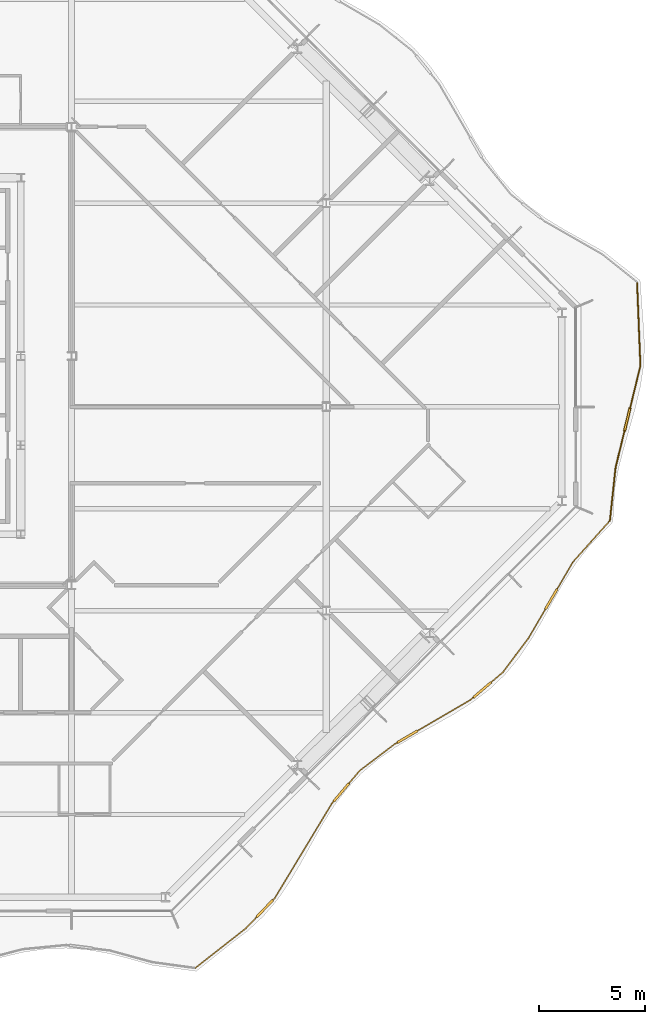
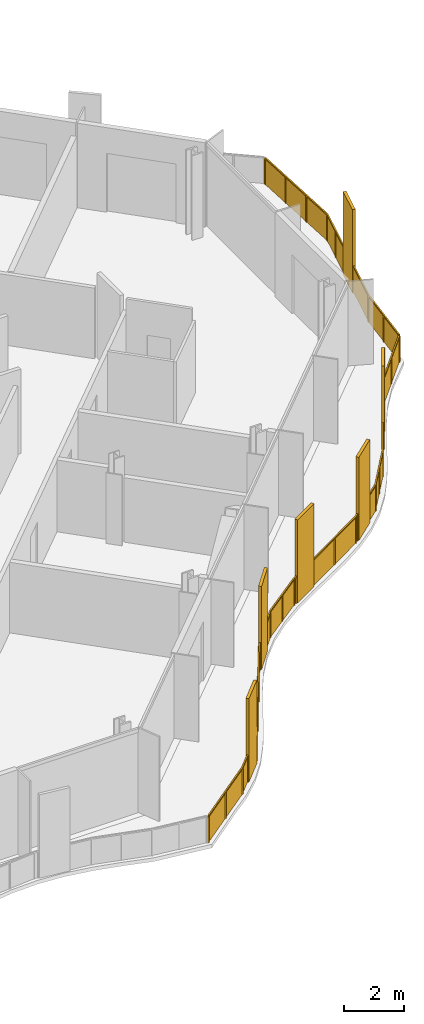
# One storey, part 15 of 17: 2 railings.
"""IFC4 building model written with IfcOpenShell, lengths in metres."""

from ifc_helpers import new_model, si_unit, direction, frame, origin, origin_2d, place, context, subcontext, project, spatial, polyline, rectangle, outline, extrude, material, type_object, element, save


model = new_model("IFC4")

# Units and contexts
model_context = context("Model", 3, precision=1e-05, world=origin(), true_north=direction((0.0, 1.0)))
body_context = subcontext(model_context, "Body", "Model", "MODEL_VIEW")
ifc_project = project(units=[si_unit("LENGTHUNIT", "METRE"), si_unit("AREAUNIT", "SQUARE_METRE"), si_unit("VOLUMEUNIT", "CUBIC_METRE"), si_unit("PLANEANGLEUNIT", "RADIAN"), si_unit("MASSUNIT", "GRAM", prefix="KILO")], contexts=[model_context])

# Site, building, storey
site_placement = place(None, origin())
site = spatial("IfcSite", under=ifc_project, at=site_placement, CompositionType="ELEMENT")
building_placement = place(site_placement, origin())
building = spatial("IfcBuilding", under=site, at=building_placement, Name="Cairn Pilgrim Tower", CompositionType="ELEMENT")
storey_placement = place(building_placement, frame((0.0, 0.0, 217.800048828125)))
storey = spatial("IfcBuildingStorey", under=building, at=storey_placement, Name="L55", CompositionType="ELEMENT", Elevation=217.800048828125)

# Railings
ifc_material = material(Name="Bronze anodised aluminium rail, posts and fin screens with laminated glass infill", Category="aluminium")
railing_type = type_object("IfcRailingType", Name="BALCONY GUARD WITH FIN SCREENS", PredefinedType="GUARDRAIL", material=ifc_material)
railing_1_placement = place(storey_placement, frame((25.030517578125, -26.433349609375, 0.0)))
element("IfcRailing", 1, at=railing_1_placement, inside=storey, type_object=railing_type, Name="Balcony guard BGF-2 with fin screens", PredefinedType="GUARDRAIL", context=body_context, shape_type="SweptSolid", body=[
    extrude(rectangle(XDim=0.050048828125, YDim=0.050048828125, at=origin_2d()), frame((0.0, 0.0, 1.0751953125), z_axis=(0.787027391117, 0.616918054228, 0.0), x_axis=(-0.616918054228, 0.787027391117, 0.0)), (0.0, 0.0, 1.0), 3.032470703125),
    extrude(rectangle(XDim=1.10009765625, YDim=0.110107421875, at=origin_2d()), frame((3.272705078125, 2.801025390625, 0.0), z_axis=(0.0, 0.0, 1.0), x_axis=(0.689673603876, 0.724120376813, 0.0)), (0.0, 0.0, 1.0), 3.39990234375),
    extrude(rectangle(XDim=0.050048828125, YDim=0.050048828125, at=origin_2d()), frame((2.38671875, 1.870849609375, 1.0751953125), z_axis=(0.689673603876, 0.724120376813, 0.0), x_axis=(-0.724120376813, 0.689673603876, 0.0)), (0.0, 0.0, 1.0), 0.734619140625),
    extrude(rectangle(XDim=0.050048828125, YDim=0.050048828125, at=origin_2d()), frame((3.65185546875, 3.19921875, 1.0751953125), z_axis=(0.689673603876, 0.724120376813, 0.0), x_axis=(-0.724120376813, 0.689673603876, 0.0)), (0.0, 0.0, 1.0), 0.14990234375),
    extrude(rectangle(XDim=0.050048828125, YDim=0.050048828125, at=origin_2d()), frame((3.75537109375, 3.307861328125, 1.0751953125), z_axis=(0.516402036809, 0.856346271306, 0.0), x_axis=(-0.856346271306, 0.516402036809, 0.0)), (0.0, 0.0, 1.0), 5.176025390625),
    extrude(rectangle(XDim=1.10009765625, YDim=0.110107421875, at=origin_2d()), frame((6.880859375, 8.274169921875, 0.0), z_axis=(0.0, 0.0, 1.0), x_axis=(0.646556997334, 0.762865682279, 0.0)), (0.0, 0.0, 1.0), 3.39990234375),
    extrude(rectangle(XDim=0.050048828125, YDim=0.050048828125, at=origin_2d()), frame((6.42822265625, 7.740234375, 1.0751953125), z_axis=(0.646556997334, 0.762865682279, 0.0), x_axis=(-0.762865682279, 0.646556997334, 0.0)), (0.0, 0.0, 1.0), 0.14990234375),
    extrude(rectangle(XDim=0.050048828125, YDim=0.050048828125, at=origin_2d()), frame((7.236328125, 8.69384765625, 1.0751953125), z_axis=(0.646556997334, 0.762865682279, 0.0), x_axis=(-0.762865682279, 0.646556997334, 0.0)), (0.0, 0.0, 1.0), 0.796630859375),
    extrude(rectangle(XDim=0.050048828125, YDim=0.050048828125, at=origin_2d()), frame((7.75146484375, 9.301513671875, 1.0751953125), z_axis=(0.796523631749, 0.604607396635, 0.0), x_axis=(-0.604607396635, 0.796523631749, 0.0)), (0.0, 0.0, 1.0), 2.0556640625),
    extrude(rectangle(XDim=1.10009765625, YDim=0.110107421875, at=origin_2d()), frame((9.99365234375, 10.897216796875, 0.0), z_axis=(0.0, 0.0, 1.0), x_axis=(0.863793818224, 0.503845452096, 0.0)), (0.0, 0.0, 1.0), 3.39990234375),
    extrude(rectangle(XDim=0.050048828125, YDim=0.050048828125, at=origin_2d()), frame((9.388916015625, 10.54443359375, 1.0751953125), z_axis=(0.863793818224, 0.503845452096, 0.0), x_axis=(-0.503845452096, 0.863793818224, 0.0)), (0.0, 0.0, 1.0), 0.14990234375),
    extrude(rectangle(XDim=0.050048828125, YDim=0.050048828125, at=origin_2d()), frame((10.46875, 11.17431640625, 1.0751953125), z_axis=(0.863793818224, 0.503845452096, 0.0), x_axis=(-0.503845452096, 0.863793818224, 0.0)), (0.0, 0.0, 1.0), 2.905029296875),
    extrude(rectangle(XDim=1.10009765625, YDim=0.110107421875, at=origin_2d()), frame((13.521728515625, 13.103271484375, 0.0), z_axis=(0.0, 0.0, 1.0), x_axis=(0.759767961962, 0.650194312476, 0.0)), (0.0, 0.0, 1.0), 3.39990234375),
    extrude(rectangle(XDim=0.050048828125, YDim=0.050048828125, at=origin_2d()), frame((12.97802734375, 12.637939453125, 1.0751953125), z_axis=(0.759767961962, 0.650194312476, 0.0), x_axis=(-0.650194312476, 0.759767961962, 0.0)), (0.0, 0.0, 1.0), 0.165771484375),
    extrude(rectangle(XDim=0.050048828125, YDim=0.050048828125, at=origin_2d()), frame((13.939697265625, 13.4609375, 1.0751953125), z_axis=(0.759767961962, 0.650194312476, 0.0), x_axis=(-0.650194312476, 0.759767961962, 0.0)), (0.0, 0.0, 1.0), 0.7216796875),
    extrude(rectangle(XDim=0.050048828125, YDim=0.050048828125, at=origin_2d()), frame((14.488037109375, 13.93017578125, 1.0751953125), z_axis=(0.601011955127, 0.799240032653, 0.0), x_axis=(-0.799240032653, 0.601011955127, 0.0)), (0.0, 0.0, 1.0), 2.00634765625),
    extrude(rectangle(XDim=1.10009765625, YDim=0.110107421875, at=origin_2d()), frame((16.770751953125, 17.377685546875, 0.0), z_axis=(0.0, 0.0, 1.0), x_axis=(0.50434104748, 0.863504549974, 0.0)), (0.0, 0.0, 1.0), 3.39990234375),
    extrude(rectangle(XDim=0.050048828125, YDim=0.050048828125, at=origin_2d()), frame((15.69384765625, 15.53369140625, 1.0751953125), z_axis=(0.50434104748, 0.863504549974, 0.0), x_axis=(-0.863504549974, 0.50434104748, 0.0)), (0.0, 0.0, 1.0), 1.58544921875),
    extrude(rectangle(XDim=0.050048828125, YDim=0.050048828125, at=origin_2d()), frame((17.048095703125, 17.8525390625, 1.0751953125), z_axis=(0.50434104748, 0.863504549974, 0.0), x_axis=(-0.863504549974, 0.50434104748, 0.0)), (0.0, 0.0, 1.0), 1.480224609375),
    extrude(rectangle(XDim=0.050048828125, YDim=0.050048828125, at=origin_2d()), frame((17.794677734375, 19.130615234375, 1.0751953125), z_axis=(0.666806069318, 0.745231283509, 0.0), x_axis=(-0.745231283509, 0.666806069318, 0.0)), (0.0, 0.0, 1.0), 2.54638671875),
    extrude(rectangle(XDim=0.050048828125, YDim=0.050048828125, at=origin_2d()), origin(), (0.0, 0.0, 1.0), 1.050048828125),
    extrude(rectangle(XDim=0.050048828125, YDim=0.050048828125, at=origin_2d()), frame((1.193359375, 0.935546875, 0.0)), (0.0, 0.0, 1.0), 1.050048828125),
    extrude(rectangle(XDim=0.050048828125, YDim=0.050048828125, at=origin_2d()), frame((2.38671875, 1.870849609375, 0.0)), (0.0, 0.0, 1.0), 1.050048828125),
    extrude(rectangle(XDim=0.050048828125, YDim=0.050048828125, at=origin_2d()), frame((2.8759765625, 2.384521484375, 0.0)), (0.0, 0.0, 1.0), 1.050048828125),
    extrude(rectangle(XDim=0.050048828125, YDim=0.050048828125, at=origin_2d()), frame((3.669189453125, 3.21728515625, 0.0)), (0.0, 0.0, 1.0), 1.050048828125),
    extrude(rectangle(XDim=0.050048828125, YDim=0.050048828125, at=origin_2d()), frame((3.75537109375, 3.307861328125, 0.0)), (0.0, 0.0, 1.0), 1.050048828125),
    extrude(rectangle(XDim=0.050048828125, YDim=0.050048828125, at=origin_2d()), frame((4.646240234375, 4.785400390625, 0.0)), (0.0, 0.0, 1.0), 1.050048828125),
    extrude(rectangle(XDim=0.050048828125, YDim=0.050048828125, at=origin_2d()), frame((5.537353515625, 6.2626953125, 0.0)), (0.0, 0.0, 1.0), 1.050048828125),
    extrude(rectangle(XDim=0.050048828125, YDim=0.050048828125, at=origin_2d()), frame((6.42822265625, 7.740234375, 0.0)), (0.0, 0.0, 1.0), 1.050048828125),
    extrude(rectangle(XDim=0.050048828125, YDim=0.050048828125, at=origin_2d()), frame((6.509033203125, 7.83544921875, 0.0)), (0.0, 0.0, 1.0), 1.050048828125),
    extrude(rectangle(XDim=0.050048828125, YDim=0.050048828125, at=origin_2d()), frame((7.25244140625, 8.712890625, 0.0)), (0.0, 0.0, 1.0), 1.050048828125),
    extrude(rectangle(XDim=0.050048828125, YDim=0.050048828125, at=origin_2d()), frame((7.75146484375, 9.301513671875, 0.0)), (0.0, 0.0, 1.0), 1.050048828125),
    extrude(rectangle(XDim=0.050048828125, YDim=0.050048828125, at=origin_2d()), frame((8.5703125, 9.9228515625, 0.0)), (0.0, 0.0, 1.0), 1.050048828125),
    extrude(rectangle(XDim=0.050048828125, YDim=0.050048828125, at=origin_2d()), frame((9.388916015625, 10.54443359375, 0.0)), (0.0, 0.0, 1.0), 1.050048828125),
    extrude(rectangle(XDim=0.050048828125, YDim=0.050048828125, at=origin_2d()), frame((9.496826171875, 10.607421875, 0.0)), (0.0, 0.0, 1.0), 1.050048828125),
    extrude(rectangle(XDim=0.050048828125, YDim=0.050048828125, at=origin_2d()), frame((10.490234375, 11.186767578125, 0.0)), (0.0, 0.0, 1.0), 1.050048828125),
    extrude(rectangle(XDim=0.050048828125, YDim=0.050048828125, at=origin_2d()), frame((11.734130859375, 11.912353515625, 0.0)), (0.0, 0.0, 1.0), 1.050048828125),
    extrude(rectangle(XDim=0.050048828125, YDim=0.050048828125, at=origin_2d()), frame((12.97802734375, 12.637939453125, 0.0)), (0.0, 0.0, 1.0), 1.050048828125),
    extrude(rectangle(XDim=0.050048828125, YDim=0.050048828125, at=origin_2d()), frame((13.0849609375, 12.7294921875, 0.0)), (0.0, 0.0, 1.0), 1.050048828125),
    extrude(rectangle(XDim=0.050048828125, YDim=0.050048828125, at=origin_2d()), frame((13.958740234375, 13.477294921875, 0.0)), (0.0, 0.0, 1.0), 1.050048828125),
    extrude(rectangle(XDim=0.050048828125, YDim=0.050048828125, at=origin_2d()), frame((14.488037109375, 13.93017578125, 0.0)), (0.0, 0.0, 1.0), 1.050048828125),
    extrude(rectangle(XDim=0.050048828125, YDim=0.050048828125, at=origin_2d()), frame((15.0908203125, 14.73193359375, 0.0)), (0.0, 0.0, 1.0), 1.050048828125),
    extrude(rectangle(XDim=0.050048828125, YDim=0.050048828125, at=origin_2d()), frame((15.69384765625, 15.53369140625, 0.0)), (0.0, 0.0, 1.0), 1.050048828125),
    extrude(rectangle(XDim=0.050048828125, YDim=0.050048828125, at=origin_2d()), frame((16.480712890625, 16.881103515625, 0.0)), (0.0, 0.0, 1.0), 1.050048828125),
    extrude(rectangle(XDim=0.050048828125, YDim=0.050048828125, at=origin_2d()), frame((17.060791015625, 17.8740234375, 0.0)), (0.0, 0.0, 1.0), 1.050048828125),
    extrude(rectangle(XDim=0.050048828125, YDim=0.050048828125, at=origin_2d()), frame((17.794677734375, 19.130615234375, 0.0)), (0.0, 0.0, 1.0), 1.050048828125),
    extrude(rectangle(XDim=0.050048828125, YDim=0.050048828125, at=origin_2d()), frame((18.6435546875, 20.07958984375, 0.0)), (0.0, 0.0, 1.0), 1.050048828125),
    extrude(rectangle(XDim=0.050048828125, YDim=0.050048828125, at=origin_2d()), frame((19.49267578125, 21.0283203125, 0.0)), (0.0, 0.0, 1.0), 1.050048828125),
    extrude(outline(polyline([(0.02490234375, 0.0), (1.4912109375, 0.0), (1.4912109375, 1.050048828125), (0.02490234375, 1.050048828125), (0.02490234375, 0.0)])), frame((-0.003662109375, 0.004638671875, 0.0), z_axis=(0.616918054228, -0.787027391117, 0.0), x_axis=(0.787027391117, 0.616918054228, 0.0)), (0.0, 0.0, 1.0), 0.011962890625),
    extrude(outline(polyline([(0.02490234375, 0.0), (1.4912109375, 0.0), (1.4912109375, 1.050048828125), (0.02490234375, 1.050048828125), (0.02490234375, 0.0)])), frame((1.189697265625, 0.940185546875, 0.0), z_axis=(0.616918054228, -0.787027391117, 0.0), x_axis=(0.787027391117, 0.616918054228, 0.0)), (0.0, 0.0, 1.0), 0.011962890625),
    extrude(outline(polyline([(0.02490234375, 0.0), (0.6845703125, 0.0), (0.6845703125, 1.050048828125), (0.02490234375, 1.050048828125), (0.02490234375, 0.0)])), frame((2.38232421875, 1.875, 0.0), z_axis=(0.724120376813, -0.689673603876, 0.0), x_axis=(0.689673603876, 0.724120376813, 0.0)), (0.0, 0.0, 1.0), 0.011962890625),
    extrude(outline(polyline([(0.02490234375, 0.0), (0.099853515625, 0.0), (0.099853515625, 1.050048828125), (0.02490234375, 1.050048828125), (0.02490234375, 0.0)])), frame((3.664794921875, 3.221435546875, 0.0), z_axis=(0.724120376813, -0.689673603876, 0.0), x_axis=(0.689673603876, 0.724120376813, 0.0)), (0.0, 0.0, 1.0), 0.011962890625),
    extrude(outline(polyline([(0.02490234375, 0.0), (1.7001953125, 0.0), (1.7001953125, 1.050048828125), (0.02490234375, 1.050048828125), (0.02490234375, 0.0)])), frame((3.750244140625, 3.31103515625, 0.0), z_axis=(0.856346271306, -0.516402036809, 0.0), x_axis=(0.516402036809, 0.856346271306, 0.0)), (0.0, 0.0, 1.0), 0.011962890625),
    extrude(outline(polyline([(0.02490234375, 0.0), (1.7001953125, 0.0), (1.7001953125, 1.050048828125), (0.02490234375, 1.050048828125), (0.02490234375, 0.0)])), frame((4.64111328125, 4.788330078125, 0.0), z_axis=(0.856346271306, -0.516402036809, 0.0), x_axis=(0.516402036809, 0.856346271306, 0.0)), (0.0, 0.0, 1.0), 0.011962890625),
    extrude(outline(polyline([(0.02490234375, 0.0), (1.7001953125, 0.0), (1.7001953125, 1.050048828125), (0.02490234375, 1.050048828125), (0.02490234375, 0.0)])), frame((5.5322265625, 6.265869140625, 0.0), z_axis=(0.856346271306, -0.516402036809, 0.0), x_axis=(0.516402036809, 0.856346271306, 0.0)), (0.0, 0.0, 1.0), 0.011962890625),
    extrude(outline(polyline([(0.02490234375, 0.0), (0.099853515625, 0.0), (0.099853515625, 1.050048828125), (0.02490234375, 1.050048828125), (0.02490234375, 0.0)])), frame((6.423583984375, 7.744140625, 0.0), z_axis=(0.762865682279, -0.646556997334, 0.0), x_axis=(0.646556997334, 0.762865682279, 0.0)), (0.0, 0.0, 1.0), 0.011962890625),
    extrude(outline(polyline([(0.02490234375, 0.0), (0.74658203125, 0.0), (0.74658203125, 1.050048828125), (0.02490234375, 1.050048828125), (0.02490234375, 0.0)])), frame((7.248046875, 8.716796875, 0.0), z_axis=(0.762865682279, -0.646556997334, 0.0), x_axis=(0.646556997334, 0.762865682279, 0.0)), (0.0, 0.0, 1.0), 0.011962890625),
    extrude(outline(polyline([(0.02490234375, 0.0), (1.0029296875, 0.0), (1.0029296875, 1.050048828125), (0.02490234375, 1.050048828125), (0.02490234375, 0.0)])), frame((7.747802734375, 9.306396484375, 0.0), z_axis=(0.604607396635, -0.796523631749, 0.0), x_axis=(0.796523631749, 0.604607396635, 0.0)), (0.0, 0.0, 1.0), 0.011962890625),
    extrude(outline(polyline([(0.02490234375, 0.0), (1.0029296875, 0.0), (1.0029296875, 1.050048828125), (0.02490234375, 1.050048828125), (0.02490234375, 0.0)])), frame((8.566650390625, 9.927734375, 0.0), z_axis=(0.604607396635, -0.796523631749, 0.0), x_axis=(0.796523631749, 0.604607396635, 0.0)), (0.0, 0.0, 1.0), 0.011962890625),
    extrude(outline(polyline([(0.02490234375, 0.0), (0.099853515625, 0.0), (0.099853515625, 1.050048828125), (0.02490234375, 1.050048828125), (0.02490234375, 0.0)])), frame((9.385986328125, 10.549560546875, 0.0), z_axis=(0.503845452096, -0.863793818224, 0.0), x_axis=(0.863793818224, 0.503845452096, 0.0)), (0.0, 0.0, 1.0), 0.011962890625),
    extrude(outline(polyline([(0.02490234375, 0.0), (1.4150390625, 0.0), (1.4150390625, 1.050048828125), (0.02490234375, 1.050048828125), (0.02490234375, 0.0)])), frame((10.4873046875, 11.19189453125, 0.0), z_axis=(0.503845452096, -0.863793818224, 0.0), x_axis=(0.863793818224, 0.503845452096, 0.0)), (0.0, 0.0, 1.0), 0.011962890625),
    extrude(outline(polyline([(0.02490234375, 0.0), (1.4150390625, 0.0), (1.4150390625, 1.050048828125), (0.02490234375, 1.050048828125), (0.02490234375, 0.0)])), frame((11.731201171875, 11.91748046875, 0.0), z_axis=(0.503845452096, -0.863793818224, 0.0), x_axis=(0.863793818224, 0.503845452096, 0.0)), (0.0, 0.0, 1.0), 0.011962890625),
    extrude(outline(polyline([(0.02490234375, 0.0), (0.11572265625, 0.0), (0.11572265625, 1.050048828125), (0.02490234375, 1.050048828125), (0.02490234375, 0.0)])), frame((12.97412109375, 12.642578125, 0.0), z_axis=(0.650194312476, -0.759767961962, 0.0), x_axis=(0.759767961962, 0.650194312476, 0.0)), (0.0, 0.0, 1.0), 0.011962890625),
    extrude(outline(polyline([(0.02490234375, 0.0), (0.671630859375, 0.0), (0.671630859375, 1.050048828125), (0.02490234375, 1.050048828125), (0.02490234375, 0.0)])), frame((13.954833984375, 13.481689453125, 0.0), z_axis=(0.650194312476, -0.759767961962, 0.0), x_axis=(0.759767961962, 0.650194312476, 0.0)), (0.0, 0.0, 1.0), 0.011962890625),
    extrude(outline(polyline([(0.02490234375, 0.0), (0.97802734375, 0.0), (0.97802734375, 1.050048828125), (0.02490234375, 1.050048828125), (0.02490234375, 0.0)])), frame((14.483154296875, 13.933837890625, 0.0), z_axis=(0.799240032653, -0.601011955127, 0.0), x_axis=(0.601011955127, 0.799240032653, 0.0)), (0.0, 0.0, 1.0), 0.011962890625),
    extrude(outline(polyline([(0.02490234375, 0.0), (0.97802734375, 0.0), (0.97802734375, 1.050048828125), (0.02490234375, 1.050048828125), (0.02490234375, 0.0)])), frame((15.086181640625, 14.735595703125, 0.0), z_axis=(0.799240032653, -0.601011955127, 0.0), x_axis=(0.601011955127, 0.799240032653, 0.0)), (0.0, 0.0, 1.0), 0.011962890625),
    extrude(outline(polyline([(0.02490234375, 0.0), (1.535400390625, 0.0), (1.535400390625, 1.050048828125), (0.02490234375, 1.050048828125), (0.02490234375, 0.0)])), frame((15.688720703125, 15.53662109375, 0.0), z_axis=(0.863504549974, -0.50434104748, 0.0), x_axis=(0.50434104748, 0.863504549974, 0.0)), (0.0, 0.0, 1.0), 0.011962890625),
    extrude(outline(polyline([(0.02490234375, 0.0), (1.43017578125, 0.0), (1.43017578125, 1.050048828125), (0.02490234375, 1.050048828125), (0.02490234375, 0.0)])), frame((17.0556640625, 17.877197265625, 0.0), z_axis=(0.863504549974, -0.50434104748, 0.0), x_axis=(0.50434104748, 0.863504549974, 0.0)), (0.0, 0.0, 1.0), 0.011962890625),
    extrude(outline(polyline([(0.02490234375, 0.0), (1.248291015625, 0.0), (1.248291015625, 1.050048828125), (0.02490234375, 1.050048828125), (0.02490234375, 0.0)])), frame((17.790283203125, 19.134521484375, 0.0), z_axis=(0.745231283509, -0.666806069318, 0.0), x_axis=(0.666806069318, 0.745231283509, 0.0)), (0.0, 0.0, 1.0), 0.011962890625),
    extrude(outline(polyline([(0.02490234375, 0.0), (1.248291015625, 0.0), (1.248291015625, 1.050048828125), (0.02490234375, 1.050048828125), (0.02490234375, 0.0)])), frame((18.63916015625, 20.08349609375, 0.0), z_axis=(0.745231283509, -0.666806069318, 0.0), x_axis=(0.666806069318, 0.745231283509, 0.0)), (0.0, 0.0, 1.0), 0.011962890625),
])
railing_2_placement = place(storey_placement, frame((44.563232421875, -5.3603515625, 0.0)))
element("IfcRailing", 2, at=railing_2_placement, inside=storey, type_object=railing_type, Name="Balcony guard BGF-3 with fin screens", PredefinedType="GUARDRAIL", context=body_context, shape_type="SweptSolid", body=[
    extrude(rectangle(XDim=0.050048828125, YDim=0.050048828125, at=origin_2d()), frame((0.0, 0.0, 1.0751953125), z_axis=(0.106348447091, 0.994328923345, 0.0), x_axis=(-0.994328923345, 0.106348447091, 0.0)), (0.0, 0.0, 1.0), 2.520751953125),
    extrude(rectangle(XDim=1.10009765625, YDim=0.110107421875, at=origin_2d()), frame((0.819580078125, 4.7666015625, 0.0), z_axis=(0.0, 0.0, 1.0), x_axis=(0.237078170464, 0.971490576943, 0.0)), (0.0, 0.0, 1.0), 3.39990234375),
    extrude(rectangle(XDim=0.050048828125, YDim=0.050048828125, at=origin_2d()), frame((0.26806640625, 2.50634765625, 1.0751953125), z_axis=(0.237078170464, 0.971490576943, 0.0), x_axis=(-0.971490576943, 0.237078170464, 0.0)), (0.0, 0.0, 1.0), 1.776611328125),
    extrude(rectangle(XDim=0.050048828125, YDim=0.050048828125, at=origin_2d()), frame((0.949951171875, 5.30078125, 1.0751953125), z_axis=(0.237078170464, 0.971490576943, 0.0), x_axis=(-0.971490576943, 0.237078170464, 0.0)), (0.0, 0.0, 1.0), 2.052978515625),
    extrude(rectangle(XDim=0.050048828125, YDim=0.050048828125, at=origin_2d()), frame((1.436767578125, 7.29541015625, 1.0751953125), z_axis=(-0.039797570151, 0.999207762885, 0.0), x_axis=(-0.999207762885, -0.039797570151, 0.0)), (0.0, 0.0, 1.0), 3.889404296875),
    extrude(rectangle(XDim=0.050048828125, YDim=0.050048828125, at=origin_2d()), origin(), (0.0, 0.0, 1.0), 1.050048828125),
    extrude(rectangle(XDim=0.050048828125, YDim=0.050048828125, at=origin_2d()), frame((0.134033203125, 1.253173828125, 0.0)), (0.0, 0.0, 1.0), 1.050048828125),
    extrude(rectangle(XDim=0.050048828125, YDim=0.050048828125, at=origin_2d()), frame((0.26806640625, 2.50634765625, 0.0)), (0.0, 0.0, 1.0), 1.050048828125),
    extrude(rectangle(XDim=0.050048828125, YDim=0.050048828125, at=origin_2d()), frame((0.683349609375, 4.2080078125, 0.0)), (0.0, 0.0, 1.0), 1.050048828125),
    extrude(rectangle(XDim=0.050048828125, YDim=0.050048828125, at=origin_2d()), frame((0.9560546875, 5.3251953125, 0.0)), (0.0, 0.0, 1.0), 1.050048828125),
    extrude(rectangle(XDim=0.050048828125, YDim=0.050048828125, at=origin_2d()), frame((1.1962890625, 6.310302734375, 0.0)), (0.0, 0.0, 1.0), 1.050048828125),
    extrude(rectangle(XDim=0.050048828125, YDim=0.050048828125, at=origin_2d()), frame((1.436767578125, 7.29541015625, 0.0)), (0.0, 0.0, 1.0), 1.050048828125),
    extrude(rectangle(XDim=0.050048828125, YDim=0.050048828125, at=origin_2d()), frame((1.38525390625, 8.5908203125, 0.0)), (0.0, 0.0, 1.0), 1.050048828125),
    extrude(rectangle(XDim=0.050048828125, YDim=0.050048828125, at=origin_2d()), frame((1.33349609375, 9.88623046875, 0.0)), (0.0, 0.0, 1.0), 1.050048828125),
    extrude(rectangle(XDim=0.050048828125, YDim=0.050048828125, at=origin_2d()), frame((1.281982421875, 11.181640625, 0.0)), (0.0, 0.0, 1.0), 1.050048828125),
    extrude(outline(polyline([(0.02490234375, 0.0), (1.2353515625, 0.0), (1.2353515625, 1.050048828125), (0.02490234375, 1.050048828125), (0.02490234375, 0.0)])), frame((-0.005859375, 0.000732421875, 0.0), z_axis=(0.994328923345, -0.106348447091, 0.0), x_axis=(0.106348447091, 0.994328923345, 0.0)), (0.0, 0.0, 1.0), 0.011962890625),
    extrude(outline(polyline([(0.02490234375, 0.0), (1.2353515625, 0.0), (1.2353515625, 1.050048828125), (0.02490234375, 1.050048828125), (0.02490234375, 0.0)])), frame((0.128173828125, 1.25390625, 0.0), z_axis=(0.994328923345, -0.106348447091, 0.0), x_axis=(0.106348447091, 0.994328923345, 0.0)), (0.0, 0.0, 1.0), 0.011962890625),
    extrude(outline(polyline([(0.02490234375, 0.0), (1.7265625, 0.0), (1.7265625, 1.050048828125), (0.02490234375, 1.050048828125), (0.02490234375, 0.0)])), frame((0.26220703125, 2.5078125, 0.0), z_axis=(0.971490576943, -0.237078170464, 0.0), x_axis=(0.237078170464, 0.971490576943, 0.0)), (0.0, 0.0, 1.0), 0.011962890625),
    extrude(outline(polyline([(0.02490234375, 0.0), (0.989013671875, 0.0), (0.989013671875, 1.050048828125), (0.02490234375, 1.050048828125), (0.02490234375, 0.0)])), frame((0.9501953125, 5.32666015625, 0.0), z_axis=(0.971490576943, -0.237078170464, 0.0), x_axis=(0.237078170464, 0.971490576943, 0.0)), (0.0, 0.0, 1.0), 0.011962890625),
    extrude(outline(polyline([(0.02490234375, 0.0), (0.989013671875, 0.0), (0.989013671875, 1.050048828125), (0.02490234375, 1.050048828125), (0.02490234375, 0.0)])), frame((1.190673828125, 6.311767578125, 0.0), z_axis=(0.971490576943, -0.237078170464, 0.0), x_axis=(0.237078170464, 0.971490576943, 0.0)), (0.0, 0.0, 1.0), 0.011962890625),
    extrude(outline(polyline([(0.02490234375, 0.0), (1.271484375, 0.0), (1.271484375, 1.050048828125), (0.02490234375, 1.050048828125), (0.02490234375, 0.0)])), frame((1.430908203125, 7.295166015625, 0.0), z_axis=(0.999207762885, 0.039797570151, 0.0), x_axis=(-0.039797570151, 0.999207762885, 0.0)), (0.0, 0.0, 1.0), 0.011962890625),
    extrude(outline(polyline([(0.02490234375, 0.0), (1.271484375, 0.0), (1.271484375, 1.050048828125), (0.02490234375, 1.050048828125), (0.02490234375, 0.0)])), frame((1.379150390625, 8.590576171875, 0.0), z_axis=(0.999207762885, 0.039797570151, 0.0), x_axis=(-0.039797570151, 0.999207762885, 0.0)), (0.0, 0.0, 1.0), 0.011962890625),
    extrude(outline(polyline([(0.02490234375, 0.0), (1.271484375, 0.0), (1.271484375, 1.050048828125), (0.02490234375, 1.050048828125), (0.02490234375, 0.0)])), frame((1.32763671875, 9.885986328125, 0.0), z_axis=(0.999207762885, 0.039797570151, 0.0), x_axis=(-0.039797570151, 0.999207762885, 0.0)), (0.0, 0.0, 1.0), 0.011962890625),
])

save(model, "model.ifc")
